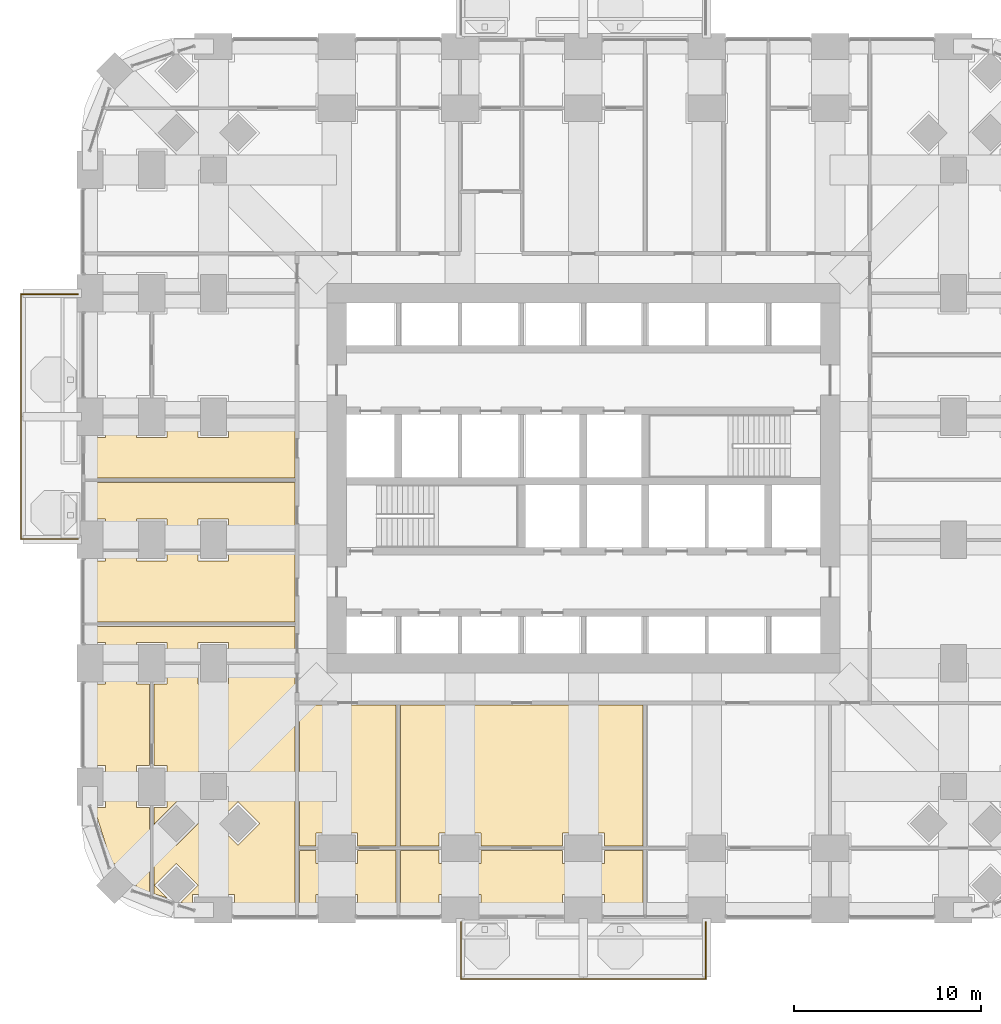
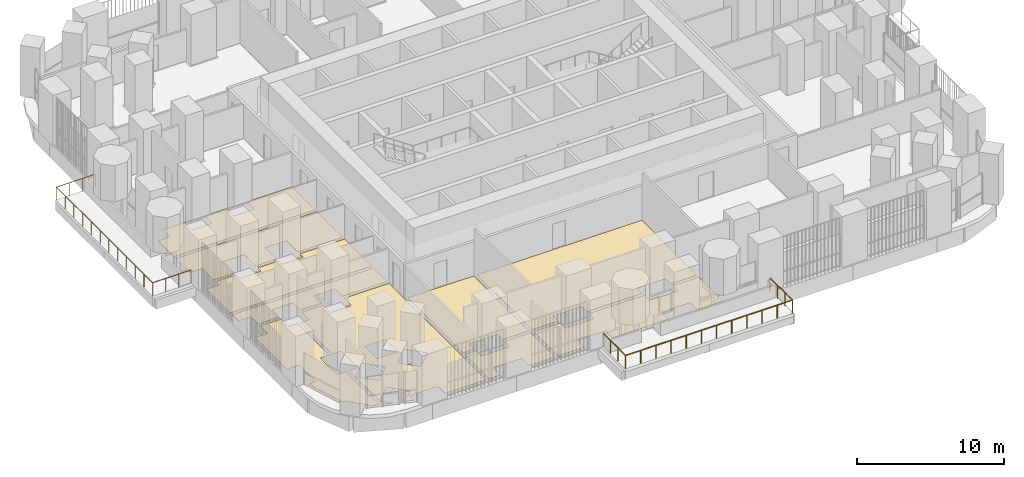
# One storey, part 21 of 25: 10 coverings, 2 railings.
"""IFC4 building model written with IfcOpenShell, lengths in metres."""

import ifcopenshell
import ifcopenshell.guid

model = None  # the IFC model being written
_history = None  # IfcOwnerHistory: only IFC2X3 demands one
_inside = {}  # id of a spatial element -> (the spatial element, [elements in it])
_under = {}  # id of a project, library or spatial element -> (it, [spatial elements below it])
_declared = {}  # id of a project -> (the project, [libraries it declares])
_typed = {}  # id of a type object -> (the type object, [elements of that type])
_made_of = {}  # id of a material, layer set ... -> (it, [elements and type objects made of it])


def new_model(schema):
    """Start an empty IFC model of exactly this schema.

    Asked for "IFC4X3", IfcOpenShell would pick the latest addendum, in which some entities
    have other attributes; the version numbers below select the first issue.
    IFC2X3 requires an IfcOwnerHistory on every rooted entity: one is made here for all.
    """
    global model, _history
    if schema == "IFC4X3":
        model = ifcopenshell.file(schema_version=(4, 3, 0, 0))
    else:
        model = ifcopenshell.file(schema=schema)
    _inside.clear()
    _under.clear()
    _declared.clear()
    _typed.clear()
    _made_of.clear()
    _history = None
    if model.schema == "IFC2X3":
        org = make("IfcOrganization", Name="unknown")
        user = make(
            "IfcPersonAndOrganization",
            ThePerson=make("IfcPerson", FamilyName="unknown"),
            TheOrganization=org,
        )
        app = make(
            "IfcApplication",
            ApplicationDeveloper=org,
            Version="unknown",
            ApplicationFullName="unknown",
            ApplicationIdentifier="unknown",
        )
        _history = make(
            "IfcOwnerHistory",
            OwningUser=user,
            OwningApplication=app,
            ChangeAction="ADDED",
            CreationDate=0,
        )
    return model


def make(cls, **values):
    """One entity of the class cls with the attributes given. An attribute that is None is left unset."""
    return model.create_entity(
        cls, **{name: value for name, value in values.items() if value is not None}
    )


def rooted(cls, **values):
    """An entity with a GlobalId (a new one), such as an element, a storey or a relation."""
    return make(cls, GlobalId=ifcopenshell.guid.new(), OwnerHistory=_history, **values)


def si_unit(unit_type, name, prefix=None):
    """IfcSIUnit, for example si_unit("LENGTHUNIT", "METRE", prefix="MILLI")."""
    return make("IfcSIUnit", UnitType=unit_type, Prefix=prefix, Name=name)


def assignment(units):
    """IfcUnitAssignment: the units of a project."""
    return None if units is None else make("IfcUnitAssignment", Units=units)


def point(xyz):
    """IfcCartesianPoint."""
    return None if xyz is None else make("IfcCartesianPoint", Coordinates=xyz)


def direction(xyz):
    """IfcDirection."""
    return None if xyz is None else make("IfcDirection", DirectionRatios=xyz)


def frame(location, z_axis=None, x_axis=None):
    """IfcAxis2Placement3D, a coordinate frame: its origin and axes. An axis left out is left unset."""
    return make(
        "IfcAxis2Placement3D",
        Location=point(location),
        Axis=direction(z_axis),
        RefDirection=direction(x_axis),
    )


def origin():
    """The frame at (0, 0, 0) with its axes left unset."""
    return frame((0.0, 0.0, 0.0))


def place(relative_to, where):
    """IfcLocalPlacement: puts the frame where relative to a parent placement (None: the world)."""
    return make(
        "IfcLocalPlacement", PlacementRelTo=relative_to, RelativePlacement=where
    )


def context(
    kind, dimensions, precision=None, world=None, true_north=None, identifier=None
):
    """IfcGeometricRepresentationContext, for example the 3D "Model" context."""
    return make(
        "IfcGeometricRepresentationContext",
        ContextIdentifier=identifier,
        ContextType=kind,
        CoordinateSpaceDimension=dimensions,
        Precision=precision,
        WorldCoordinateSystem=world,
        TrueNorth=true_north,
    )


def subcontext(parent, identifier, kind, view, scale=None):
    """IfcGeometricRepresentationSubContext, for example "Body" below "Model"."""
    return make(
        "IfcGeometricRepresentationSubContext",
        ContextIdentifier=identifier,
        ContextType=kind,
        ParentContext=parent,
        TargetScale=scale,
        TargetView=view,
    )


def project(units=None, contexts=None):
    """IfcProject with its units and contexts."""
    return rooted(
        "IfcProject",
        Name="project",
        RepresentationContexts=contexts,
        UnitsInContext=assignment(units),
    )


def spatial(cls, under=None, at=None, **own):
    """A site, building, storey or space (cls), placed at a placement, below another one or the project."""
    s = rooted(cls, ObjectPlacement=at, **own)
    if under is not None:
        _under.setdefault(under.id(), (under, []))[1].append(s)
    return s


def polyline(points):
    """IfcPolyline through the points."""
    return make("IfcPolyline", Points=[point(p) for p in points])


def outline(outer, holes=None, kind="AREA"):
    """IfcArbitraryClosedProfileDef: a profile drawn as a closed curve; with holes, ...WithVoids."""
    if holes is None:
        return make("IfcArbitraryClosedProfileDef", ProfileType=kind, OuterCurve=outer)
    return make(
        "IfcArbitraryProfileDefWithVoids",
        ProfileType=kind,
        OuterCurve=outer,
        InnerCurves=holes,
    )


def extrude(swept, where, along, depth):
    """IfcExtrudedAreaSolid: the profile swept, set in the frame where, extruded along a direction by depth."""
    return make(
        "IfcExtrudedAreaSolid",
        SweptArea=swept,
        Position=where,
        ExtrudedDirection=direction(along),
        Depth=depth,
    )


def shape(context_of_items, identifier, shape_type, items):
    """IfcShapeRepresentation: the items that make up one representation, for example the "Body"."""
    return make(
        "IfcShapeRepresentation",
        ContextOfItems=context_of_items,
        RepresentationIdentifier=identifier,
        RepresentationType=shape_type,
        Items=items,
    )


def material(Name=None, Category=None):
    """IfcMaterial."""
    return make("IfcMaterial", Name=Name, Category=Category)


def layer(
    of_material, thickness, ventilated=None, Name=None, Category=None, Priority=None
):
    """IfcMaterialLayer: one layer of a wall or slab, of a material (None: an air gap)."""
    return make(
        "IfcMaterialLayer",
        Material=of_material,
        LayerThickness=thickness,
        IsVentilated=ventilated,
        Name=Name,
        Category=Category,
        Priority=Priority,
    )


def layer_set(layers, Name=None):
    """IfcMaterialLayerSet."""
    return make("IfcMaterialLayerSet", MaterialLayers=layers, LayerSetName=Name)


def made_of(thing, what):
    """Note that an element or type object is made of a material, layer set ...; save() writes the relation."""
    if what is not None:
        _made_of.setdefault(what.id(), (what, []))[1].append(thing)
    return thing


def type_object(cls, material=None, **own):
    """A type object (cls), such as IfcWallType, which elements share."""
    return made_of(rooted(cls, **own), material)


def element(
    cls,
    number,
    at=None,
    inside=None,
    cuts=None,
    type_object=None,
    material=None,
    context=None,
    identifier="Body",
    shape_type=None,
    held_by="IfcProductDefinitionShape",
    body=None,
    shapes=None,
    **own,
):
    """One element of the class cls, such as IfcWall. Its Tag is "e" and its number.

    at: its placement. inside: the storey or other place that contains it. cuts: it is an
    opening in that element (IfcRelVoidsElement). A single representation is given by context,
    identifier, shape_type and body (its items); several are given by shapes. held_by: the class
    of the entity that holds the representations. save() writes the other relations.
    """
    e = rooted(cls, Tag="e%d" % number, ObjectPlacement=at, **own)
    if body is not None:
        shapes = [shape(context, identifier, shape_type, body)]
    if shapes is not None:
        e.Representation = make(held_by, Representations=shapes)
    if inside is not None:
        _inside.setdefault(inside.id(), (inside, []))[1].append(e)
    if cuts is not None:
        rooted(
            "IfcRelVoidsElement", RelatingBuildingElement=cuts, RelatedOpeningElement=e
        )
    if type_object is not None:
        _typed.setdefault(type_object.id(), (type_object, []))[1].append(e)
    return made_of(e, material)


def aggregate(whole, parts):
    """IfcRelAggregates: a whole, such as a stair, and the parts it consists of."""
    return rooted("IfcRelAggregates", RelatingObject=whole, RelatedObjects=parts)


def save(model, path):
    """Write the relations noted so far, then the file.

    IfcRelAggregates (storeys below a building ...), IfcRelContainedInSpatialStructure (elements
    in a storey), IfcRelDefinesByType, IfcRelAssociatesMaterial and IfcRelDeclares: one each for
    every whole, place, type object, material and project.
    """
    for whole, parts in _under.values():
        aggregate(whole, parts)
    for where, things in _inside.values():
        rooted(
            "IfcRelContainedInSpatialStructure",
            RelatedElements=things,
            RelatingStructure=where,
        )
    for kind, things in _typed.values():
        rooted("IfcRelDefinesByType", RelatedObjects=things, RelatingType=kind)
    for what, things in _made_of.values():
        rooted("IfcRelAssociatesMaterial", RelatedObjects=things, RelatingMaterial=what)
    for by, libraries in _declared.values():
        rooted("IfcRelDeclares", RelatingContext=by, RelatedDefinitions=libraries)
    model.write(path)


model = new_model("IFC4")

# Units and contexts
model_context = context("Model", 3, precision=1e-05, world=origin(), true_north=direction((0.0, 1.0)))
body_context = subcontext(model_context, "Body", "Model", "MODEL_VIEW")
ifc_project = project(units=[si_unit("LENGTHUNIT", "METRE"), si_unit("AREAUNIT", "SQUARE_METRE"), si_unit("VOLUMEUNIT", "CUBIC_METRE"), si_unit("PLANEANGLEUNIT", "RADIAN"), si_unit("MASSUNIT", "GRAM", prefix="KILO")], contexts=[model_context])

# Site, building, storey
site_placement = place(None, origin())
site = spatial("IfcSite", under=ifc_project, at=site_placement, CompositionType="ELEMENT")
building_placement = place(site_placement, origin())
building = spatial("IfcBuilding", under=site, at=building_placement, Name="Cobogo Forest Laboratory Tower", CompositionType="ELEMENT")
storey_placement = place(building_placement, frame((0.0, 0.0, 67.5)))
storey = spatial("IfcBuildingStorey", under=building, at=storey_placement, Name="L15", CompositionType="ELEMENT", Elevation=67.5)

# Railings
ifc_material_1 = material(Name="Laminated glass balustrade", Category="glass")
railing_type = type_object("IfcRailingType", Name="BG1 glass balustrade 1100", PredefinedType="GUARDRAIL", material=ifc_material_1)
railing_1_placement = place(storey_placement, frame((19.85009765625, -0.64990234375, 0.0)))
element("IfcRailing", 1, at=railing_1_placement, inside=storey, type_object=railing_type, Name="Balcony balustrade BAL-S1 L15", PredefinedType="GUARDRAIL", context=body_context, shape_type="SweptSolid", body=[
    extrude(outline(polyline([(0.022216796875, 0.00927734375), (0.00927734375, 0.022216796875), (-0.00927734375, 0.022216796875), (-0.022216796875, 0.00927734375), (-0.022216796875, -0.00927734375), (-0.00927734375, -0.022216796875), (0.00927734375, -0.022216796875), (0.022216796875, -0.00927734375), (0.022216796875, 0.00927734375)])), frame((0.0, 0.0, 1.077880859375), z_axis=(0.0, -1.0, 0.0), x_axis=(1.0, 0.0, 0.0)), (0.0, 0.0, 1.0), 3.050048828125),
    extrude(outline(polyline([(0.022216796875, 0.00927734375), (0.00927734375, 0.022216796875), (-0.00927734375, 0.022216796875), (-0.022216796875, 0.00927734375), (-0.022216796875, -0.00927734375), (-0.00927734375, -0.022216796875), (0.00927734375, -0.022216796875), (0.022216796875, -0.00927734375), (0.022216796875, 0.00927734375)])), frame((0.0, -3.050048828125, 1.077880859375), z_axis=(1.0, 0.0, 0.0), x_axis=(0.0, 1.0, 0.0)), (0.0, 0.0, 1.0), 13.099853515625),
    extrude(outline(polyline([(0.022216796875, 0.00927734375), (0.00927734375, 0.022216796875), (-0.00927734375, 0.022216796875), (-0.022216796875, 0.00927734375), (-0.022216796875, -0.00927734375), (-0.00927734375, -0.022216796875), (0.00927734375, -0.022216796875), (0.022216796875, -0.00927734375), (0.022216796875, 0.00927734375)])), frame((13.099853515625, -3.050048828125, 1.077880859375), z_axis=(0.0, 1.0, 0.0), x_axis=(-1.0, 0.0, 0.0)), (0.0, 0.0, 1.0), 3.050048828125),
    extrude(outline(polyline([(0.019287109375, 0.008056640625), (0.008056640625, 0.019287109375), (-0.008056640625, 0.019287109375), (-0.019287109375, 0.008056640625), (-0.019287109375, -0.008056640625), (-0.008056640625, -0.019287109375), (0.008056640625, -0.019287109375), (0.019287109375, -0.008056640625), (0.019287109375, 0.008056640625)])), origin(), (0.0, 0.0, 1.0), 1.077880859375),
    extrude(outline(polyline([(0.019287109375, 0.008056640625), (0.008056640625, 0.019287109375), (-0.008056640625, 0.019287109375), (-0.019287109375, 0.008056640625), (-0.019287109375, -0.008056640625), (-0.008056640625, -0.019287109375), (0.008056640625, -0.019287109375), (0.019287109375, -0.008056640625), (0.019287109375, 0.008056640625)])), frame((0.0, -1.0166015625, 0.0)), (0.0, 0.0, 1.0), 1.077880859375),
    extrude(outline(polyline([(0.019287109375, 0.008056640625), (0.008056640625, 0.019287109375), (-0.008056640625, 0.019287109375), (-0.019287109375, 0.008056640625), (-0.019287109375, -0.008056640625), (-0.008056640625, -0.019287109375), (0.008056640625, -0.019287109375), (0.019287109375, -0.008056640625), (0.019287109375, 0.008056640625)])), frame((0.0, -2.033447265625, 0.0)), (0.0, 0.0, 1.0), 1.077880859375),
    extrude(outline(polyline([(0.019287109375, 0.008056640625), (0.008056640625, 0.019287109375), (-0.008056640625, 0.019287109375), (-0.019287109375, 0.008056640625), (-0.019287109375, -0.008056640625), (-0.008056640625, -0.019287109375), (0.008056640625, -0.019287109375), (0.019287109375, -0.008056640625), (0.019287109375, 0.008056640625)])), frame((0.0, -3.050048828125, 0.0)), (0.0, 0.0, 1.0), 1.077880859375),
    extrude(outline(polyline([(0.019287109375, 0.008056640625), (0.008056640625, 0.019287109375), (-0.008056640625, 0.019287109375), (-0.019287109375, 0.008056640625), (-0.019287109375, -0.008056640625), (-0.008056640625, -0.019287109375), (0.008056640625, -0.019287109375), (0.019287109375, -0.008056640625), (0.019287109375, 0.008056640625)])), frame((1.19091796875, -3.050048828125, 0.0)), (0.0, 0.0, 1.0), 1.077880859375),
    extrude(outline(polyline([(0.019287109375, 0.008056640625), (0.008056640625, 0.019287109375), (-0.008056640625, 0.019287109375), (-0.019287109375, 0.008056640625), (-0.019287109375, -0.008056640625), (-0.008056640625, -0.019287109375), (0.008056640625, -0.019287109375), (0.019287109375, -0.008056640625), (0.019287109375, 0.008056640625)])), frame((2.3818359375, -3.050048828125, 0.0)), (0.0, 0.0, 1.0), 1.077880859375),
    extrude(outline(polyline([(0.019287109375, 0.008056640625), (0.008056640625, 0.019287109375), (-0.008056640625, 0.019287109375), (-0.019287109375, 0.008056640625), (-0.019287109375, -0.008056640625), (-0.008056640625, -0.019287109375), (0.008056640625, -0.019287109375), (0.019287109375, -0.008056640625), (0.019287109375, 0.008056640625)])), frame((3.57275390625, -3.050048828125, 0.0)), (0.0, 0.0, 1.0), 1.077880859375),
    extrude(outline(polyline([(0.019287109375, 0.008056640625), (0.008056640625, 0.019287109375), (-0.008056640625, 0.019287109375), (-0.019287109375, 0.008056640625), (-0.019287109375, -0.008056640625), (-0.008056640625, -0.019287109375), (0.008056640625, -0.019287109375), (0.019287109375, -0.008056640625), (0.019287109375, 0.008056640625)])), frame((4.763671875, -3.050048828125, 0.0)), (0.0, 0.0, 1.0), 1.077880859375),
    extrude(outline(polyline([(0.019287109375, 0.008056640625), (0.008056640625, 0.019287109375), (-0.008056640625, 0.019287109375), (-0.019287109375, 0.008056640625), (-0.019287109375, -0.008056640625), (-0.008056640625, -0.019287109375), (0.008056640625, -0.019287109375), (0.019287109375, -0.008056640625), (0.019287109375, 0.008056640625)])), frame((5.95458984375, -3.050048828125, 0.0)), (0.0, 0.0, 1.0), 1.077880859375),
    extrude(outline(polyline([(0.019287109375, 0.008056640625), (0.008056640625, 0.019287109375), (-0.008056640625, 0.019287109375), (-0.019287109375, 0.008056640625), (-0.019287109375, -0.008056640625), (-0.008056640625, -0.019287109375), (0.008056640625, -0.019287109375), (0.019287109375, -0.008056640625), (0.019287109375, 0.008056640625)])), frame((7.145263671875, -3.050048828125, 0.0)), (0.0, 0.0, 1.0), 1.077880859375),
    extrude(outline(polyline([(0.019287109375, 0.008056640625), (0.008056640625, 0.019287109375), (-0.008056640625, 0.019287109375), (-0.019287109375, 0.008056640625), (-0.019287109375, -0.008056640625), (-0.008056640625, -0.019287109375), (0.008056640625, -0.019287109375), (0.019287109375, -0.008056640625), (0.019287109375, 0.008056640625)])), frame((8.336181640625, -3.050048828125, 0.0)), (0.0, 0.0, 1.0), 1.077880859375),
    extrude(outline(polyline([(0.019287109375, 0.008056640625), (0.008056640625, 0.019287109375), (-0.008056640625, 0.019287109375), (-0.019287109375, 0.008056640625), (-0.019287109375, -0.008056640625), (-0.008056640625, -0.019287109375), (0.008056640625, -0.019287109375), (0.019287109375, -0.008056640625), (0.019287109375, 0.008056640625)])), frame((9.527099609375, -3.050048828125, 0.0)), (0.0, 0.0, 1.0), 1.077880859375),
    extrude(outline(polyline([(0.019287109375, 0.008056640625), (0.008056640625, 0.019287109375), (-0.008056640625, 0.019287109375), (-0.019287109375, 0.008056640625), (-0.019287109375, -0.008056640625), (-0.008056640625, -0.019287109375), (0.008056640625, -0.019287109375), (0.019287109375, -0.008056640625), (0.019287109375, 0.008056640625)])), frame((10.718017578125, -3.050048828125, 0.0)), (0.0, 0.0, 1.0), 1.077880859375),
    extrude(outline(polyline([(0.019287109375, 0.008056640625), (0.008056640625, 0.019287109375), (-0.008056640625, 0.019287109375), (-0.019287109375, 0.008056640625), (-0.019287109375, -0.008056640625), (-0.008056640625, -0.019287109375), (0.008056640625, -0.019287109375), (0.019287109375, -0.008056640625), (0.019287109375, 0.008056640625)])), frame((11.908935546875, -3.050048828125, 0.0)), (0.0, 0.0, 1.0), 1.077880859375),
    extrude(outline(polyline([(0.019287109375, 0.008056640625), (0.008056640625, 0.019287109375), (-0.008056640625, 0.019287109375), (-0.019287109375, 0.008056640625), (-0.019287109375, -0.008056640625), (-0.008056640625, -0.019287109375), (0.008056640625, -0.019287109375), (0.019287109375, -0.008056640625), (0.019287109375, 0.008056640625)])), frame((13.099853515625, -3.050048828125, 0.0)), (0.0, 0.0, 1.0), 1.077880859375),
    extrude(outline(polyline([(0.019287109375, 0.008056640625), (0.008056640625, 0.019287109375), (-0.008056640625, 0.019287109375), (-0.019287109375, 0.008056640625), (-0.019287109375, -0.008056640625), (-0.008056640625, -0.019287109375), (0.008056640625, -0.019287109375), (0.019287109375, -0.008056640625), (0.019287109375, 0.008056640625)])), frame((13.099853515625, -2.033447265625, 0.0)), (0.0, 0.0, 1.0), 1.077880859375),
    extrude(outline(polyline([(0.019287109375, 0.008056640625), (0.008056640625, 0.019287109375), (-0.008056640625, 0.019287109375), (-0.019287109375, 0.008056640625), (-0.019287109375, -0.008056640625), (-0.008056640625, -0.019287109375), (0.008056640625, -0.019287109375), (0.019287109375, -0.008056640625), (0.019287109375, 0.008056640625)])), frame((13.099853515625, -1.0166015625, 0.0)), (0.0, 0.0, 1.0), 1.077880859375),
    extrude(outline(polyline([(0.019287109375, 0.008056640625), (0.008056640625, 0.019287109375), (-0.008056640625, 0.019287109375), (-0.019287109375, 0.008056640625), (-0.019287109375, -0.008056640625), (-0.008056640625, -0.019287109375), (0.008056640625, -0.019287109375), (0.019287109375, -0.008056640625), (0.019287109375, 0.008056640625)])), frame((13.099853515625, 0.0, 0.0)), (0.0, 0.0, 1.0), 1.077880859375),
])
railing_2_placement = place(storey_placement, frame((-0.64990234375, 19.85009765625, 0.0)))
element("IfcRailing", 2, at=railing_2_placement, inside=storey, type_object=railing_type, Name="Balcony balustrade BAL-W1 L15", PredefinedType="GUARDRAIL", context=body_context, shape_type="SweptSolid", body=[
    extrude(outline(polyline([(0.022216796875, 0.00927734375), (0.00927734375, 0.022216796875), (-0.00927734375, 0.022216796875), (-0.022216796875, 0.00927734375), (-0.022216796875, -0.00927734375), (-0.00927734375, -0.022216796875), (0.00927734375, -0.022216796875), (0.022216796875, -0.00927734375), (0.022216796875, 0.00927734375)])), frame((0.0, 0.0, 1.077880859375), z_axis=(-1.0, 0.0, 0.0), x_axis=(0.0, -1.0, 0.0)), (0.0, 0.0, 1.0), 3.050048828125),
    extrude(outline(polyline([(0.022216796875, 0.00927734375), (0.00927734375, 0.022216796875), (-0.00927734375, 0.022216796875), (-0.022216796875, 0.00927734375), (-0.022216796875, -0.00927734375), (-0.00927734375, -0.022216796875), (0.00927734375, -0.022216796875), (0.022216796875, -0.00927734375), (0.022216796875, 0.00927734375)])), frame((-3.050048828125, 0.0, 1.077880859375), z_axis=(0.0, 1.0, 0.0), x_axis=(-1.0, 0.0, 0.0)), (0.0, 0.0, 1.0), 13.099853515625),
    extrude(outline(polyline([(0.022216796875, 0.00927734375), (0.00927734375, 0.022216796875), (-0.00927734375, 0.022216796875), (-0.022216796875, 0.00927734375), (-0.022216796875, -0.00927734375), (-0.00927734375, -0.022216796875), (0.00927734375, -0.022216796875), (0.022216796875, -0.00927734375), (0.022216796875, 0.00927734375)])), frame((-3.050048828125, 13.099853515625, 1.077880859375), z_axis=(1.0, 0.0, 0.0), x_axis=(0.0, 1.0, 0.0)), (0.0, 0.0, 1.0), 3.050048828125),
    extrude(outline(polyline([(0.019287109375, 0.008056640625), (0.008056640625, 0.019287109375), (-0.008056640625, 0.019287109375), (-0.019287109375, 0.008056640625), (-0.019287109375, -0.008056640625), (-0.008056640625, -0.019287109375), (0.008056640625, -0.019287109375), (0.019287109375, -0.008056640625), (0.019287109375, 0.008056640625)])), origin(), (0.0, 0.0, 1.0), 1.077880859375),
    extrude(outline(polyline([(0.019287109375, 0.008056640625), (0.008056640625, 0.019287109375), (-0.008056640625, 0.019287109375), (-0.019287109375, 0.008056640625), (-0.019287109375, -0.008056640625), (-0.008056640625, -0.019287109375), (0.008056640625, -0.019287109375), (0.019287109375, -0.008056640625), (0.019287109375, 0.008056640625)])), frame((-1.0166015625, 0.0, 0.0)), (0.0, 0.0, 1.0), 1.077880859375),
    extrude(outline(polyline([(0.019287109375, 0.008056640625), (0.008056640625, 0.019287109375), (-0.008056640625, 0.019287109375), (-0.019287109375, 0.008056640625), (-0.019287109375, -0.008056640625), (-0.008056640625, -0.019287109375), (0.008056640625, -0.019287109375), (0.019287109375, -0.008056640625), (0.019287109375, 0.008056640625)])), frame((-2.033447265625, 0.0, 0.0)), (0.0, 0.0, 1.0), 1.077880859375),
    extrude(outline(polyline([(0.019287109375, 0.008056640625), (0.008056640625, 0.019287109375), (-0.008056640625, 0.019287109375), (-0.019287109375, 0.008056640625), (-0.019287109375, -0.008056640625), (-0.008056640625, -0.019287109375), (0.008056640625, -0.019287109375), (0.019287109375, -0.008056640625), (0.019287109375, 0.008056640625)])), frame((-3.050048828125, 0.0, 0.0)), (0.0, 0.0, 1.0), 1.077880859375),
    extrude(outline(polyline([(0.019287109375, 0.008056640625), (0.008056640625, 0.019287109375), (-0.008056640625, 0.019287109375), (-0.019287109375, 0.008056640625), (-0.019287109375, -0.008056640625), (-0.008056640625, -0.019287109375), (0.008056640625, -0.019287109375), (0.019287109375, -0.008056640625), (0.019287109375, 0.008056640625)])), frame((-3.050048828125, 1.19091796875, 0.0)), (0.0, 0.0, 1.0), 1.077880859375),
    extrude(outline(polyline([(0.019287109375, 0.008056640625), (0.008056640625, 0.019287109375), (-0.008056640625, 0.019287109375), (-0.019287109375, 0.008056640625), (-0.019287109375, -0.008056640625), (-0.008056640625, -0.019287109375), (0.008056640625, -0.019287109375), (0.019287109375, -0.008056640625), (0.019287109375, 0.008056640625)])), frame((-3.050048828125, 2.3818359375, 0.0)), (0.0, 0.0, 1.0), 1.077880859375),
    extrude(outline(polyline([(0.019287109375, 0.008056640625), (0.008056640625, 0.019287109375), (-0.008056640625, 0.019287109375), (-0.019287109375, 0.008056640625), (-0.019287109375, -0.008056640625), (-0.008056640625, -0.019287109375), (0.008056640625, -0.019287109375), (0.019287109375, -0.008056640625), (0.019287109375, 0.008056640625)])), frame((-3.050048828125, 3.57275390625, 0.0)), (0.0, 0.0, 1.0), 1.077880859375),
    extrude(outline(polyline([(0.019287109375, 0.008056640625), (0.008056640625, 0.019287109375), (-0.008056640625, 0.019287109375), (-0.019287109375, 0.008056640625), (-0.019287109375, -0.008056640625), (-0.008056640625, -0.019287109375), (0.008056640625, -0.019287109375), (0.019287109375, -0.008056640625), (0.019287109375, 0.008056640625)])), frame((-3.050048828125, 4.763671875, 0.0)), (0.0, 0.0, 1.0), 1.077880859375),
    extrude(outline(polyline([(0.019287109375, 0.008056640625), (0.008056640625, 0.019287109375), (-0.008056640625, 0.019287109375), (-0.019287109375, 0.008056640625), (-0.019287109375, -0.008056640625), (-0.008056640625, -0.019287109375), (0.008056640625, -0.019287109375), (0.019287109375, -0.008056640625), (0.019287109375, 0.008056640625)])), frame((-3.050048828125, 5.95458984375, 0.0)), (0.0, 0.0, 1.0), 1.077880859375),
    extrude(outline(polyline([(0.019287109375, 0.008056640625), (0.008056640625, 0.019287109375), (-0.008056640625, 0.019287109375), (-0.019287109375, 0.008056640625), (-0.019287109375, -0.008056640625), (-0.008056640625, -0.019287109375), (0.008056640625, -0.019287109375), (0.019287109375, -0.008056640625), (0.019287109375, 0.008056640625)])), frame((-3.050048828125, 7.145263671875, 0.0)), (0.0, 0.0, 1.0), 1.077880859375),
    extrude(outline(polyline([(0.019287109375, 0.008056640625), (0.008056640625, 0.019287109375), (-0.008056640625, 0.019287109375), (-0.019287109375, 0.008056640625), (-0.019287109375, -0.008056640625), (-0.008056640625, -0.019287109375), (0.008056640625, -0.019287109375), (0.019287109375, -0.008056640625), (0.019287109375, 0.008056640625)])), frame((-3.050048828125, 8.336181640625, 0.0)), (0.0, 0.0, 1.0), 1.077880859375),
    extrude(outline(polyline([(0.019287109375, 0.008056640625), (0.008056640625, 0.019287109375), (-0.008056640625, 0.019287109375), (-0.019287109375, 0.008056640625), (-0.019287109375, -0.008056640625), (-0.008056640625, -0.019287109375), (0.008056640625, -0.019287109375), (0.019287109375, -0.008056640625), (0.019287109375, 0.008056640625)])), frame((-3.050048828125, 9.527099609375, 0.0)), (0.0, 0.0, 1.0), 1.077880859375),
    extrude(outline(polyline([(0.019287109375, 0.008056640625), (0.008056640625, 0.019287109375), (-0.008056640625, 0.019287109375), (-0.019287109375, 0.008056640625), (-0.019287109375, -0.008056640625), (-0.008056640625, -0.019287109375), (0.008056640625, -0.019287109375), (0.019287109375, -0.008056640625), (0.019287109375, 0.008056640625)])), frame((-3.050048828125, 10.718017578125, 0.0)), (0.0, 0.0, 1.0), 1.077880859375),
    extrude(outline(polyline([(0.019287109375, 0.008056640625), (0.008056640625, 0.019287109375), (-0.008056640625, 0.019287109375), (-0.019287109375, 0.008056640625), (-0.019287109375, -0.008056640625), (-0.008056640625, -0.019287109375), (0.008056640625, -0.019287109375), (0.019287109375, -0.008056640625), (0.019287109375, 0.008056640625)])), frame((-3.050048828125, 11.908935546875, 0.0)), (0.0, 0.0, 1.0), 1.077880859375),
    extrude(outline(polyline([(0.019287109375, 0.008056640625), (0.008056640625, 0.019287109375), (-0.008056640625, 0.019287109375), (-0.019287109375, 0.008056640625), (-0.019287109375, -0.008056640625), (-0.008056640625, -0.019287109375), (0.008056640625, -0.019287109375), (0.019287109375, -0.008056640625), (0.019287109375, 0.008056640625)])), frame((-3.050048828125, 13.099853515625, 0.0)), (0.0, 0.0, 1.0), 1.077880859375),
    extrude(outline(polyline([(0.019287109375, 0.008056640625), (0.008056640625, 0.019287109375), (-0.008056640625, 0.019287109375), (-0.019287109375, 0.008056640625), (-0.019287109375, -0.008056640625), (-0.008056640625, -0.019287109375), (0.008056640625, -0.019287109375), (0.019287109375, -0.008056640625), (0.019287109375, 0.008056640625)])), frame((-2.033447265625, 13.099853515625, 0.0)), (0.0, 0.0, 1.0), 1.077880859375),
    extrude(outline(polyline([(0.019287109375, 0.008056640625), (0.008056640625, 0.019287109375), (-0.008056640625, 0.019287109375), (-0.019287109375, 0.008056640625), (-0.019287109375, -0.008056640625), (-0.008056640625, -0.019287109375), (0.008056640625, -0.019287109375), (0.019287109375, -0.008056640625), (0.019287109375, 0.008056640625)])), frame((-1.0166015625, 13.099853515625, 0.0)), (0.0, 0.0, 1.0), 1.077880859375),
    extrude(outline(polyline([(0.019287109375, 0.008056640625), (0.008056640625, 0.019287109375), (-0.008056640625, 0.019287109375), (-0.019287109375, 0.008056640625), (-0.019287109375, -0.008056640625), (-0.008056640625, -0.019287109375), (0.008056640625, -0.019287109375), (0.019287109375, -0.008056640625), (0.019287109375, 0.008056640625)])), frame((0.0, 13.099853515625, 0.0)), (0.0, 0.0, 1.0), 1.077880859375),
])

# Coverings
ifc_material_2 = material(Name="Carpet tile on raised access floor", Category="flooring")
ifc_layer_1 = layer(ifc_material_2, 0.008056640625)
ifc_layer_set_1 = layer_set([ifc_layer_1], Name="CT1 carpet tile floor 8")
covering_type_1 = type_object("IfcCoveringType", Name="CT1 carpet tile floor 8", PredefinedType="FLOORING", material=ifc_layer_set_1)
covering_1_placement = place(storey_placement, origin())
element("IfcCovering", 3, at=covering_1_placement, inside=storey, type_object=covering_type_1, Name="Carpet floor L15-02", PredefinedType="FLOORING", context=body_context, shape_type="SweptSolid", body=[
    extrude(outline(polyline([(12.080078125, 3.179931640625), (12.080078125, 2.47998046875), (14.320068359375, 2.47998046875), (14.320068359375, 3.179931640625), (16.3798828125, 3.179931640625), (16.3798828125, -0.14990234375), (14.320068359375, -0.14990234375), (14.320068359375, 0.820068359375), (12.080078125, 0.820068359375), (12.080078125, -0.14990234375), (11.195068359375, -0.14990234375), (11.195068359375, 3.179931640625), (12.080078125, 3.179931640625)])), origin(), (0.0, 0.0, 1.0), 0.008056640625),
])
covering_2_placement = place(storey_placement, origin())
element("IfcCovering", 4, at=covering_2_placement, inside=storey, type_object=covering_type_1, Name="Carpet floor L15-03", PredefinedType="FLOORING", context=body_context, shape_type="SweptSolid", body=[
    extrude(outline(polyline([(16.6201171875, 10.955078125), (29.580078125, 10.955078125), (29.580078125, 3.419921875), (27.52001953125, 3.419921875), (27.52001953125, 4.1201171875), (25.280029296875, 4.1201171875), (25.280029296875, 3.419921875), (20.919921875, 3.419921875), (20.919921875, 4.1201171875), (18.679931640625, 4.1201171875), (18.679931640625, 3.419921875), (16.6201171875, 3.419921875), (16.6201171875, 10.955078125)])), origin(), (0.0, 0.0, 1.0), 0.008056640625),
])
covering_3_placement = place(storey_placement, origin())
element("IfcCovering", 5, at=covering_3_placement, inside=storey, type_object=covering_type_1, Name="Carpet floor L15-04", PredefinedType="FLOORING", context=body_context, shape_type="SweptSolid", body=[
    extrude(outline(polyline([(18.679931640625, 3.179931640625), (18.679931640625, 2.47998046875), (20.919921875, 2.47998046875), (20.919921875, 3.179931640625), (25.280029296875, 3.179931640625), (25.280029296875, 2.47998046875), (27.52001953125, 2.47998046875), (27.52001953125, 3.179931640625), (29.580078125, 3.179931640625), (29.580078125, -0.14990234375), (27.52001953125, -0.14990234375), (27.52001953125, 0.820068359375), (25.280029296875, 0.820068359375), (25.280029296875, -0.14990234375), (20.919921875, -0.14990234375), (20.919921875, 0.820068359375), (18.679931640625, 0.820068359375), (18.679931640625, -0.14990234375), (16.6201171875, -0.14990234375), (16.6201171875, 3.179931640625), (18.679931640625, 3.179931640625)])), origin(), (0.0, 0.0, 1.0), 0.008056640625),
])
covering_4_placement = place(storey_placement, origin())
element("IfcCovering", 6, at=covering_4_placement, inside=storey, type_object=covering_type_1, Name="Carpet floor L15-32", PredefinedType="FLOORING", context=body_context, shape_type="SweptSolid", body=[
    extrude(outline(polyline([(3.179931640625, 7.719970703125), (2.47998046875, 7.719970703125), (2.47998046875, 5.47998046875), (3.179931640625, 5.47998046875), (3.179931640625, 0.939697265625), (2.358642578125, 1.19921875), (2.477783203125, 1.318115234375), (1.318115234375, 2.477783203125), (1.19921875, 2.358642578125), (0.21337890625, 5.47998046875), (0.820068359375, 5.47998046875), (0.820068359375, 7.719970703125), (-0.14990234375, 7.719970703125), (-0.14990234375, 12.080078125), (0.820068359375, 12.080078125), (0.820068359375, 13.080078125), (2.47998046875, 13.080078125), (2.47998046875, 12.080078125), (3.179931640625, 12.080078125), (3.179931640625, 7.719970703125)])), origin(), (0.0, 0.0, 1.0), 0.008056640625),
])
ifc_material_3 = material(Name="Epoxy resin flooring", Category="flooring")
ifc_layer_2 = layer(ifc_material_3, 0.00390625)
ifc_layer_set_2 = layer_set([ifc_layer_2], Name="LF1 epoxy laboratory floor 4")
covering_type_2 = type_object("IfcCoveringType", Name="LF1 epoxy laboratory floor 4", PredefinedType="FLOORING", material=ifc_layer_set_2)
covering_5_placement = place(storey_placement, origin())
element("IfcCovering", 7, at=covering_5_placement, inside=storey, type_object=covering_type_2, Name="Epoxy laboratory floor L15-01", PredefinedType="FLOORING", context=body_context, shape_type="SweptSolid", body=[
    extrude(outline(polyline([(11.195068359375, 10.955078125), (16.3798828125, 10.955078125), (16.3798828125, 3.419921875), (14.320068359375, 3.419921875), (14.320068359375, 4.1201171875), (12.080078125, 4.1201171875), (12.080078125, 3.419921875), (11.195068359375, 3.419921875), (11.195068359375, 10.955078125)])), origin(), (0.0, 0.0, 1.0), 0.00390625),
])
covering_6_placement = place(storey_placement, origin())
element("IfcCovering", 8, at=covering_6_placement, inside=storey, type_object=covering_type_2, Name="Epoxy laboratory floor L15-31", PredefinedType="FLOORING", context=body_context, shape_type="SweptSolid", body=[
    extrude(outline(polyline([(5.780029296875, 13.080078125), (5.780029296875, 12.080078125), (7.419921875, 12.080078125), (7.419921875, 13.080078125), (10.955078125, 13.080078125), (10.955078125, -0.14990234375), (7.719970703125, -0.14990234375), (7.719970703125, 0.820068359375), (5.47998046875, 0.820068359375), (5.47998046875, 0.21337890625), (4.86669921875, 0.406982421875), (5.777587890625, 1.318115234375), (4.617919921875, 2.477783203125), (3.458251953125, 1.318115234375), (4.1396484375, 0.63671875), (3.419921875, 0.864013671875), (3.419921875, 5.47998046875), (4.1201171875, 5.47998046875), (4.1201171875, 7.719970703125), (3.419921875, 7.719970703125), (3.419921875, 12.080078125), (4.1201171875, 12.080078125), (4.1201171875, 13.080078125), (5.780029296875, 13.080078125)]), holes=[polyline([(7.91796875, 5.777587890625), (6.75830078125, 4.617919921875), (7.91796875, 3.458251953125), (9.07763671875, 4.617919921875), (7.91796875, 5.777587890625)]), polyline([(5.780029296875, 7.419921875), (5.780029296875, 5.780029296875), (7.419921875, 5.780029296875), (7.419921875, 7.419921875), (5.780029296875, 7.419921875)]), polyline([(3.458251953125, 4.617919921875), (4.617919921875, 3.458251953125), (5.777587890625, 4.617919921875), (4.617919921875, 5.777587890625), (3.458251953125, 4.617919921875)])]), origin(), (0.0, 0.0, 1.0), 0.00390625),
])
ifc_material_4 = material(Name="Ceramic floor tile", Category="flooring")
ifc_layer_3 = layer(ifc_material_4, 0.010009765625)
ifc_layer_set_3 = layer_set([ifc_layer_3], Name="TF1 ceramic tile floor 10")
covering_type_3 = type_object("IfcCoveringType", Name="TF1 ceramic tile floor 10", PredefinedType="FLOORING", material=ifc_layer_set_3)
covering_7_placement = place(storey_placement, origin())
element("IfcCovering", 9, at=covering_7_placement, inside=storey, type_object=covering_type_3, Name="Tile floor L15-33", PredefinedType="FLOORING", context=body_context, shape_type="SweptSolid", body=[
    extrude(outline(polyline([(10.955078125, 13.320068359375), (7.419921875, 13.320068359375), (7.419921875, 14.320068359375), (5.780029296875, 14.320068359375), (5.780029296875, 13.320068359375), (4.1201171875, 13.320068359375), (4.1201171875, 14.320068359375), (2.47998046875, 14.320068359375), (2.47998046875, 13.320068359375), (0.820068359375, 13.320068359375), (0.820068359375, 14.320068359375), (-0.14990234375, 14.320068359375), (-0.14990234375, 15.179931640625), (10.955078125, 15.179931640625), (10.955078125, 13.320068359375)])), origin(), (0.0, 0.0, 1.0), 0.010009765625),
])
covering_8_placement = place(storey_placement, origin())
element("IfcCovering", 10, at=covering_8_placement, inside=storey, type_object=covering_type_3, Name="Tile floor L15-34", PredefinedType="FLOORING", context=body_context, shape_type="SweptSolid", body=[
    extrude(outline(polyline([(10.955078125, 15.419921875), (-0.14990234375, 15.419921875), (-0.14990234375, 18.679931640625), (0.820068359375, 18.679931640625), (0.820068359375, 19.1298828125), (2.47998046875, 19.1298828125), (2.47998046875, 18.679931640625), (4.1201171875, 18.679931640625), (4.1201171875, 19.1298828125), (5.780029296875, 19.1298828125), (5.780029296875, 18.679931640625), (7.419921875, 18.679931640625), (7.419921875, 19.1298828125), (10.955078125, 19.1298828125), (10.955078125, 15.419921875)])), origin(), (0.0, 0.0, 1.0), 0.010009765625),
])
covering_9_placement = place(storey_placement, origin())
element("IfcCovering", 11, at=covering_9_placement, inside=storey, type_object=covering_type_3, Name="Tile floor L15-35", PredefinedType="FLOORING", context=body_context, shape_type="SweptSolid", body=[
    extrude(outline(polyline([(10.955078125, 19.3701171875), (7.419921875, 19.3701171875), (7.419921875, 20.919921875), (5.780029296875, 20.919921875), (5.780029296875, 19.3701171875), (4.1201171875, 19.3701171875), (4.1201171875, 20.919921875), (2.47998046875, 20.919921875), (2.47998046875, 19.3701171875), (0.820068359375, 19.3701171875), (0.820068359375, 20.919921875), (-0.14990234375, 20.919921875), (-0.14990234375, 22.8798828125), (10.955078125, 22.8798828125), (10.955078125, 19.3701171875)])), origin(), (0.0, 0.0, 1.0), 0.010009765625),
])
covering_10_placement = place(storey_placement, origin())
element("IfcCovering", 12, at=covering_10_placement, inside=storey, type_object=covering_type_3, Name="Tile floor L15-36", PredefinedType="FLOORING", context=body_context, shape_type="SweptSolid", body=[
    extrude(outline(polyline([(10.955078125, 23.1201171875), (-0.14990234375, 23.1201171875), (-0.14990234375, 25.280029296875), (0.820068359375, 25.280029296875), (0.820068359375, 26.280029296875), (2.47998046875, 26.280029296875), (2.47998046875, 25.280029296875), (4.1201171875, 25.280029296875), (4.1201171875, 26.280029296875), (5.780029296875, 26.280029296875), (5.780029296875, 25.280029296875), (7.419921875, 25.280029296875), (7.419921875, 26.280029296875), (10.955078125, 26.280029296875), (10.955078125, 23.1201171875)])), origin(), (0.0, 0.0, 1.0), 0.010009765625),
])

save(model, "model.ifc")
